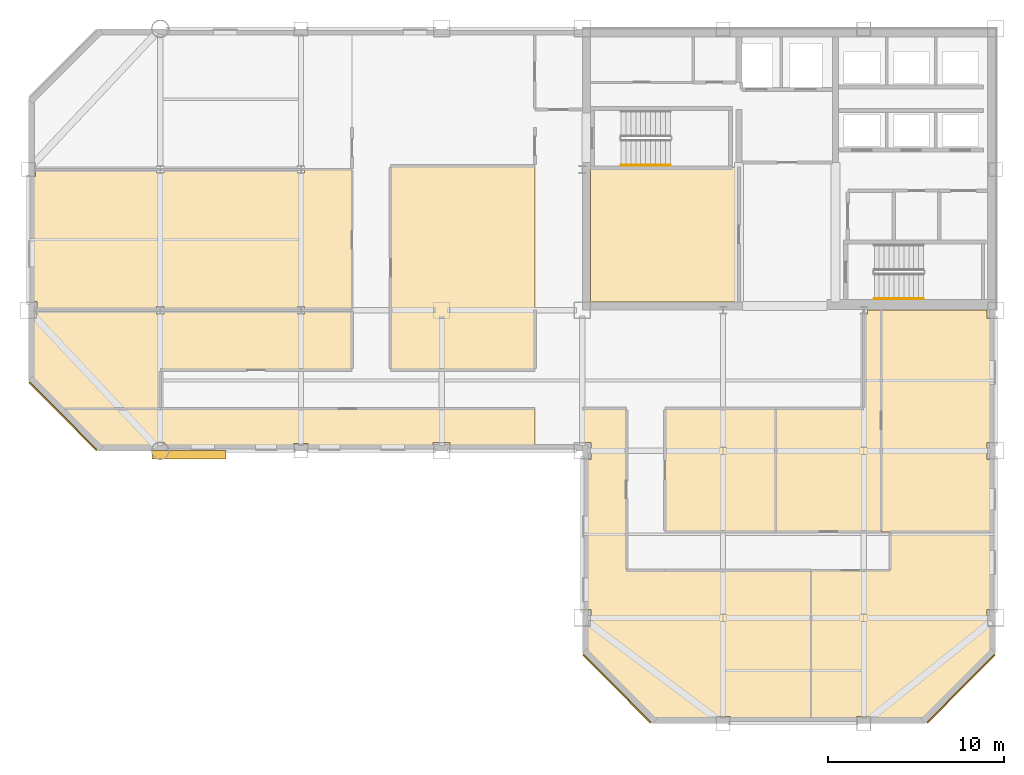
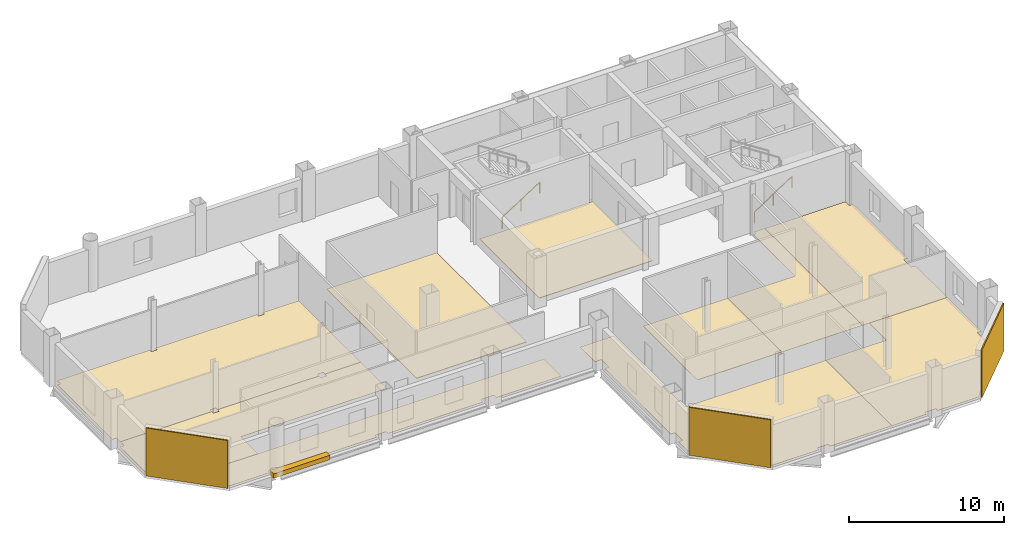
# One storey, part 7 of 10: 13 coverings, 2 railings, 1 shading device.
"""IFC4 building model written with IfcOpenShell, lengths in metres."""

from ifc_helpers import new_model, si_unit, direction, frame, origin, origin_2d, place, context, subcontext, project, spatial, polyline, rectangle, circle, outline, extrude, material, layer, layer_set, type_object, element, save


model = new_model("IFC4")

# Units and contexts
model_context = context("Model", 3, precision=1e-05, world=origin(), true_north=direction((0.0, 1.0)))
body_context = subcontext(model_context, "Body", "Model", "MODEL_VIEW")
ifc_project = project(units=[si_unit("LENGTHUNIT", "METRE"), si_unit("AREAUNIT", "SQUARE_METRE"), si_unit("VOLUMEUNIT", "CUBIC_METRE"), si_unit("PLANEANGLEUNIT", "RADIAN"), si_unit("MASSUNIT", "GRAM", prefix="KILO")], contexts=[model_context])

# Site, building, storey
site_placement = place(None, origin())
site = spatial("IfcSite", under=ifc_project, at=site_placement, CompositionType="ELEMENT")
building_placement = place(site_placement, origin())
building = spatial("IfcBuilding", under=site, at=building_placement, Name="Qianrong Seaharbour Tower", CompositionType="ELEMENT")
storey_placement = place(building_placement, frame((0.0, 0.0, 241.800048828125)))
storey = spatial("IfcBuildingStorey", under=building, at=storey_placement, Name="L58", CompositionType="ELEMENT", Elevation=241.800048828125)

# Coverings
ifc_material_1 = material(Name="Unitised red brick cladding on Precast concrete C45/55", Category="masonry")
ifc_layer_1 = layer(ifc_material_1, 0.080078125)
ifc_layer_set_1 = layer_set([ifc_layer_1], Name="Unitised red brick cladding on Precast concrete C45/55")
covering_type_1 = type_object("IfcCoveringType", Name="COV-CLAD-RED-BRICK-80", PredefinedType="CLADDING", material=ifc_layer_set_1)
for number, where, z_axis, x_axis, name in (
    (1, (10.9716796875, 29.9716796875, 0.0), (0.0, 0.0, 1.0), (-0.707106781187, 0.707106781187, 0.0), "L58 Chamfer Corner Brick Cladding 02"),
    (2, (62.0283203125, 14.4716796875, 0.0), (0.0, 0.0, 1.0), (-0.707106781187, -0.707106781187, 0.0), "L58 Chamfer Corner Brick Cladding 07"),
    (3, (42.4716796875, 14.4716796875, 0.0), (0.0, 0.0, 1.0), (-0.707106781187, 0.707106781187, 0.0), "L58 Chamfer Corner Brick Cladding 09"),
):
    element("IfcCovering", number, at=place(storey_placement, frame(where, z_axis=z_axis, x_axis=x_axis)), inside=storey, type_object=covering_type_1, Name=name, PredefinedType="CLADDING", context=body_context, shape_type="SweptSolid", body=[
        extrude(rectangle(XDim=5.456787109375, YDim=0.080078125, at=origin_2d()), origin(), (0.0, 0.0, 1.0), 3.77490234375),
    ])
ifc_material_2 = material(Name="Acoustic modular carpet tile flooring")
ifc_layer_2 = layer(ifc_material_2, 0.02001953125)
ifc_layer_set_2 = layer_set([ifc_layer_2], Name="Acoustic modular carpet tile flooring")
covering_type_2 = type_object("IfcCoveringType", Name="COV-FLOOR-CARPET-20", PredefinedType="FLOORING", material=ifc_layer_set_2)
covering_1_placement = place(storey_placement, origin())
element("IfcCovering", 4, at=covering_1_placement, inside=storey, type_object=covering_type_2, Name="L58 Harbour Sunset Lounge 1 Finish Flooring", PredefinedType="FLOORING", context=body_context, shape_type="SweptSolid", body=[
    extrude(outline(polyline([(16.5, 32.60009765625), (16.5, 30.39990234375), (10.847412109375, 30.39990234375), (9.175048828125, 32.072509765625), (9.175048828125, 35.514892578125), (9.485107421875, 35.514892578125), (9.485107421875, 36.0), (16.2900390625, 36.0), (16.2900390625, 35.7900390625), (16.7099609375, 35.7900390625), (16.7099609375, 36.0), (24.2900390625, 36.0), (24.2900390625, 35.7900390625), (24.7099609375, 35.7900390625), (24.7099609375, 36.0), (27.39990234375, 36.0), (27.39990234375, 32.60009765625), (16.5, 32.60009765625)])), origin(), (0.0, 0.0, 1.0), 0.02001953125),
])
covering_2_placement = place(storey_placement, origin())
element("IfcCovering", 5, at=covering_2_placement, inside=storey, type_object=covering_type_2, Name="L58 Barista Coffee Pantry 2 Finish Flooring", PredefinedType="FLOORING", context=body_context, shape_type="SweptSolid", body=[
    extrude(outline(polyline([(24.7099609375, 36.0), (24.7099609375, 36.2099609375), (24.2900390625, 36.2099609375), (24.2900390625, 36.0), (16.7099609375, 36.0), (16.7099609375, 36.2099609375), (16.2900390625, 36.2099609375), (16.2900390625, 36.0), (9.485107421875, 36.0), (9.485107421875, 36.485107421875), (9.175048828125, 36.485107421875), (9.175048828125, 43.590087890625), (9.409912109375, 43.590087890625), (9.409912109375, 44.0), (16.2900390625, 44.0), (16.2900390625, 43.7900390625), (16.7099609375, 43.7900390625), (16.7099609375, 44.0), (24.2900390625, 44.0), (24.2900390625, 43.7900390625), (24.7099609375, 43.7900390625), (24.7099609375, 44.0), (27.39990234375, 44.0), (27.39990234375, 36.0), (24.7099609375, 36.0)])), origin(), (0.0, 0.0, 1.0), 0.02001953125),
])
covering_3_placement = place(storey_placement, origin())
element("IfcCovering", 6, at=covering_3_placement, inside=storey, type_object=covering_type_2, Name="L58 Catering Servery Kitchen 2 Finish Flooring", PredefinedType="FLOORING", context=body_context, shape_type="SweptSolid", body=[
    extrude(outline(polyline([(56.5, 30.39990234375), (56.5, 35.7900390625), (56.7099609375, 35.7900390625), (56.7099609375, 36.0), (57.5, 36.0), (57.5, 23.39990234375), (51.5, 23.39990234375), (51.5, 30.39990234375), (56.5, 30.39990234375)])), origin(), (0.0, 0.0, 1.0), 0.02001953125),
])
covering_4_placement = place(storey_placement, origin())
element("IfcCovering", 7, at=covering_4_placement, inside=storey, type_object=covering_type_2, Name="L58 Staff Lounge 3 Finish Flooring", PredefinedType="FLOORING", context=body_context, shape_type="SweptSolid", body=[
    extrude(outline(polyline([(63.514892578125, 36.0), (63.514892578125, 35.514892578125), (63.824951171875, 35.514892578125), (63.824951171875, 28.485107421875), (63.514892578125, 28.485107421875), (63.514892578125, 27.514892578125), (63.824951171875, 27.514892578125), (63.824951171875, 23.39990234375), (57.5, 23.39990234375), (57.5, 36.0), (63.514892578125, 36.0)])), origin(), (0.0, 0.0, 1.0), 0.02001953125),
])
covering_5_placement = place(storey_placement, origin())
element("IfcCovering", 8, at=covering_5_placement, inside=storey, type_object=covering_type_2, Name="L58 Wet Pantry 1 Finish Flooring", PredefinedType="FLOORING", context=body_context, shape_type="SweptSolid", body=[
    extrude(outline(polyline([(32.985107421875, 28.175048828125), (32.985107421875, 28.485107421875), (32.014892578125, 28.485107421875), (32.014892578125, 28.175048828125), (24.909912109375, 28.175048828125), (24.909912109375, 28.409912109375), (24.090087890625, 28.409912109375), (24.090087890625, 28.175048828125), (16.977294921875, 28.175048828125), (16.97119140625, 28.1953125), (16.924072265625, 28.283203125), (16.860595703125, 28.360595703125), (16.783203125, 28.424072265625), (16.6953125, 28.47119140625), (16.599609375, 28.500244140625), (16.5, 28.510009765625), (16.400390625, 28.500244140625), (16.3046875, 28.47119140625), (16.216796875, 28.424072265625), (16.139404296875, 28.360595703125), (16.075927734375, 28.283203125), (16.02880859375, 28.1953125), (16.022705078125, 28.175048828125), (13.072509765625, 28.175048828125), (10.847412109375, 30.39990234375), (37.800048828125, 30.39990234375), (37.800048828125, 28.175048828125), (32.985107421875, 28.175048828125)])), origin(), (0.0, 0.0, 1.0), 0.02001953125),
])
covering_6_placement = place(storey_placement, origin())
element("IfcCovering", 9, at=covering_6_placement, inside=storey, type_object=covering_type_2, Name="L58 South View Lounge 1 Finish Flooring", PredefinedType="FLOORING", context=body_context, shape_type="SweptSolid", body=[
    extrude(outline(polyline([(43.0, 21.199951171875), (53.5, 21.199951171875), (53.5, 12.675048828125), (48.909912109375, 12.675048828125), (48.909912109375, 12.909912109375), (48.090087890625, 12.909912109375), (48.090087890625, 12.675048828125), (44.572509765625, 12.675048828125), (40.675048828125, 16.572509765625), (40.675048828125, 18.014892578125), (40.985107421875, 18.014892578125), (40.985107421875, 18.985107421875), (40.675048828125, 18.985107421875), (40.675048828125, 27.514892578125), (40.985107421875, 27.514892578125), (40.985107421875, 28.485107421875), (40.5, 28.485107421875), (40.5, 30.39990234375), (43.0, 30.39990234375), (43.0, 21.199951171875)])), origin(), (0.0, 0.0, 1.0), 0.02001953125),
])
covering_7_placement = place(storey_placement, origin())
element("IfcCovering", 10, at=covering_7_placement, inside=storey, type_object=covering_type_2, Name="L58 Tea Servery Pantry 2 Finish Flooring", PredefinedType="FLOORING", context=body_context, shape_type="SweptSolid", body=[
    extrude(outline(polyline([(59.927490234375, 12.675048828125), (56.909912109375, 12.675048828125), (56.909912109375, 12.909912109375), (56.090087890625, 12.909912109375), (56.090087890625, 12.675048828125), (53.5, 12.675048828125), (53.5, 21.199951171875), (58.0, 21.199951171875), (58.0, 23.39990234375), (63.824951171875, 23.39990234375), (63.824951171875, 18.985107421875), (63.514892578125, 18.985107421875), (63.514892578125, 18.014892578125), (63.824951171875, 18.014892578125), (63.824951171875, 16.572509765625), (59.927490234375, 12.675048828125)])), origin(), (0.0, 0.0, 1.0), 0.02001953125),
])
ifc_material_3 = material(Name="Honed granite stone flooring", Category="masonry")
ifc_layer_3 = layer(ifc_material_3, 0.030029296875)
ifc_layer_set_3 = layer_set([ifc_layer_3], Name="Honed granite stone flooring")
covering_type_3 = type_object("IfcCoveringType", Name="COV-FLOOR-GRANITE-30", PredefinedType="FLOORING", material=ifc_layer_set_3)
covering_8_placement = place(storey_placement, origin())
element("IfcCovering", 11, at=covering_8_placement, inside=storey, type_object=covering_type_3, Name="L58 East Harbour Dining Salon 1 Finish Flooring", PredefinedType="FLOORING", context=body_context, shape_type="SweptSolid", body=[
    extrude(outline(polyline([(51.5, 30.39990234375), (51.5, 23.39990234375), (45.199951171875, 23.39990234375), (45.199951171875, 30.39990234375), (51.5, 30.39990234375)])), origin(), (0.0, 0.0, 1.0), 0.030029296875),
])
ifc_material_4 = material(Name="Calcium-sulphate raised access floor tile")
ifc_layer_4 = layer(ifc_material_4, 0.044921875)
ifc_layer_set_4 = layer_set([ifc_layer_4], Name="Calcium-sulphate raised access floor tile")
covering_type_4 = type_object("IfcCoveringType", Name="COV-FLOOR-RAISED-45", PredefinedType="FLOORING", material=ifc_layer_set_4)
covering_9_placement = place(storey_placement, origin())
element("IfcCovering", 12, at=covering_9_placement, inside=storey, type_object=covering_type_4, Name="L58 Data Systems Office Finish Flooring", PredefinedType="FLOORING", context=body_context, shape_type="SweptSolid", body=[
    extrude(outline(polyline([(49.39990234375, 44.14990234375), (49.39990234375, 36.4599609375), (40.985107421875, 36.4599609375), (40.985107421875, 36.485107421875), (40.9599609375, 36.485107421875), (40.9599609375, 44.14990234375), (49.39990234375, 44.14990234375)])), origin(), (0.0, 0.0, 1.0), 0.044921875),
])
covering_10_placement = place(storey_placement, origin())
element("IfcCovering", 13, at=covering_10_placement, inside=storey, type_object=covering_type_4, Name="L58 East Wing Open-Plan Office Finish Flooring", PredefinedType="FLOORING", context=body_context, shape_type="SweptSolid", body=[
    extrude(outline(polyline([(29.60009765625, 44.199951171875), (37.800048828125, 44.199951171875), (37.800048828125, 32.60009765625), (29.60009765625, 32.60009765625), (29.60009765625, 44.199951171875)])), origin(), (0.0, 0.0, 1.0), 0.044921875),
])

# Railings
ifc_material_5 = material(Name="Stainless steel SUS316L continuous handrail", Category="steel")
railing_type = type_object("IfcRailingType", Name="RAIL-STAIR-HANDRAIL-900", PredefinedType="HANDRAIL", material=ifc_material_5)
railing_1_placement = place(storey_placement, frame((42.699951171875, 44.25, 0.181884765625)))
element("IfcRailing", 14, at=railing_1_placement, inside=storey, type_object=railing_type, Name="L58 ST-1 stair handrail 1", PredefinedType="HANDRAIL", context=body_context, shape_type="SweptSolid", body=[
    extrude(circle(Radius=0.02392578125, at=origin_2d()), frame((0.0, 0.0, 0.8759765625), z_axis=(0.838705829183, 0.0, 0.544584733623), x_axis=(0.0, 1.0, 0.0)), (0.0, 0.0, 1.0), 3.338623046875),
    extrude(circle(Radius=0.02099609375, at=origin_2d()), origin(), (0.0, 0.0, 1.0), 0.851806640625),
    extrude(circle(Radius=0.02099609375, at=origin_2d()), frame((1.39990234375, 0.0, 0.9091796875)), (0.0, 0.0, 1.0), 0.851806640625),
    extrude(circle(Radius=0.02099609375, at=origin_2d()), frame((2.800048828125, 0.0, 1.818115234375)), (0.0, 0.0, 1.0), 0.851806640625),
])
railing_2_placement = place(storey_placement, frame((57.10009765625, 36.64990234375, 0.181884765625)))
element("IfcRailing", 15, at=railing_2_placement, inside=storey, type_object=railing_type, Name="L58 ST-2 stair handrail 1", PredefinedType="HANDRAIL", context=body_context, shape_type="SweptSolid", body=[
    extrude(circle(Radius=0.02392578125, at=origin_2d()), frame((0.0, 0.0, 0.8759765625), z_axis=(0.83868413941, 0.0, 0.544618136222), x_axis=(0.0, 1.0, 0.0)), (0.0, 0.0, 1.0), 3.33837890625),
    extrude(circle(Radius=0.02099609375, at=origin_2d()), origin(), (0.0, 0.0, 1.0), 0.851806640625),
    extrude(circle(Radius=0.02099609375, at=origin_2d()), frame((1.39990234375, 0.0, 0.9091796875)), (0.0, 0.0, 1.0), 0.851806640625),
    extrude(circle(Radius=0.02099609375, at=origin_2d()), frame((2.7998046875, 0.0, 1.818115234375)), (0.0, 0.0, 1.0), 0.851806640625),
])

# Shading device
ifc_material_6 = material(Name="White architectural precast concrete C45/55", Category="concrete")
shading_device_type = type_object("IfcShadingDeviceType", Name="SHD-SUNSHADE-WHITE-320", PredefinedType="AWNING", material=ifc_material_6)
shading_device_placement = place(storey_placement, frame((18.137451171875, 27.780029296875, -0.02001953125), z_axis=(0.0, 0.0, 1.0), x_axis=(1.0, 0.0, 0.0)))
element("IfcShadingDevice", 16, at=shading_device_placement, inside=storey, type_object=shading_device_type, Name="L58 Climbing White Precast Ribbon Canopy Fin", PredefinedType="AWNING", context=body_context, shape_type="SweptSolid", body=[
    extrude(rectangle(XDim=4.199951171875, YDim=0.4599609375, at=origin_2d()), origin(), (0.0, 0.0, 1.0), 0.340087890625),
])

save(model, "model.ifc")
